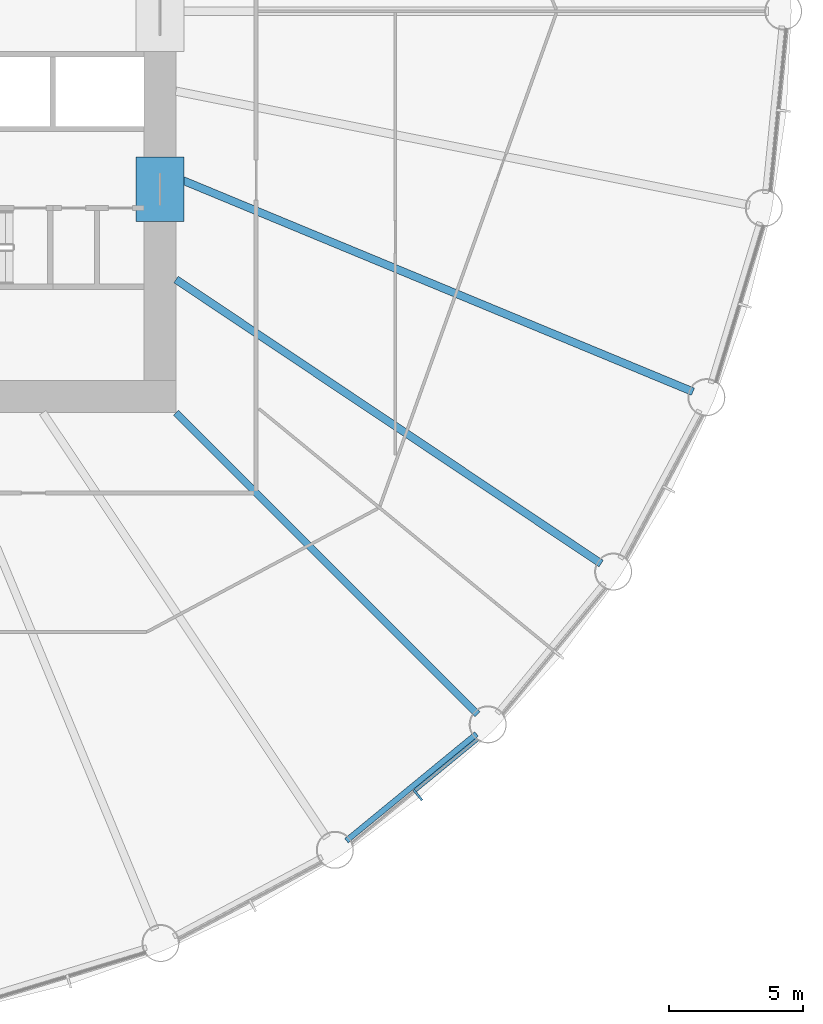
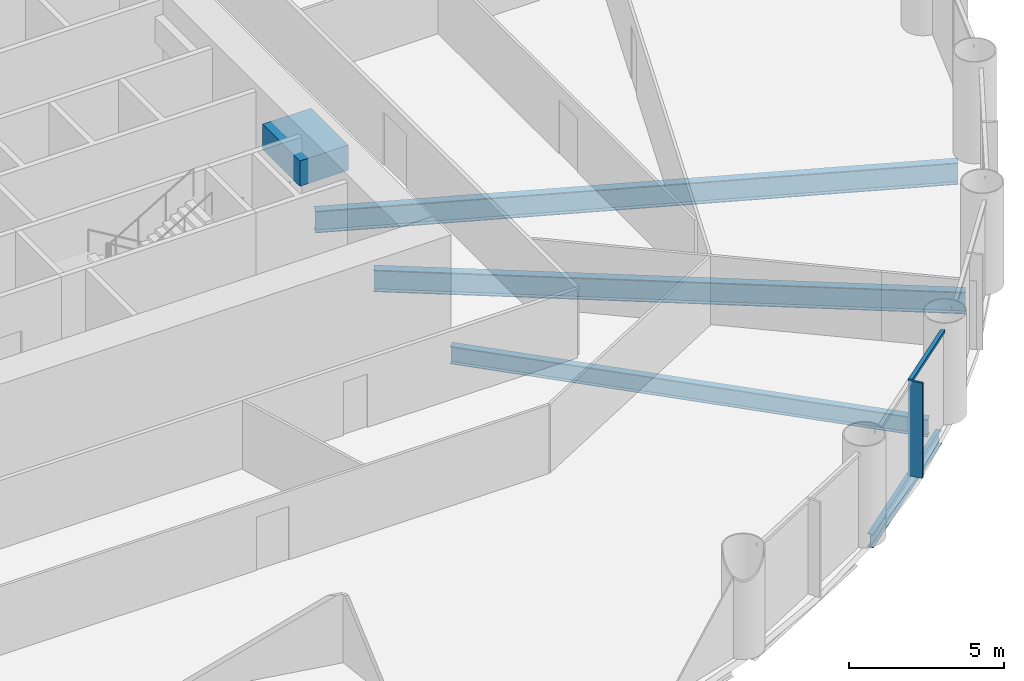
# One storey, part 3 of 15: 5 beams, 2 members, 1 element without a shape of its own.
"""IFC4 building model written with IfcOpenShell, lengths in metres."""

from ifc_helpers import new_model, si_unit, direction, frame, origin, origin_2d, place, context, subcontext, project, spatial, rectangle, i_section, extrude, material, material_profile, profile_set, type_object, element, aggregate, save


model = new_model("IFC4")

# Units and contexts
model_context = context("Model", 3, precision=1e-05, world=origin(), true_north=direction((0.0, 1.0)))
body_context = subcontext(model_context, "Body", "Model", "MODEL_VIEW")
ifc_project = project(units=[si_unit("LENGTHUNIT", "METRE"), si_unit("AREAUNIT", "SQUARE_METRE"), si_unit("VOLUMEUNIT", "CUBIC_METRE"), si_unit("PLANEANGLEUNIT", "RADIAN"), si_unit("MASSUNIT", "GRAM", prefix="KILO")], contexts=[model_context])

# Site, building, storey
site_placement = place(None, origin())
site = spatial("IfcSite", under=ifc_project, at=site_placement, CompositionType="ELEMENT")
building_placement = place(site_placement, origin())
building = spatial("IfcBuilding", under=site, at=building_placement, Name="Corvane Civic Tower", CompositionType="ELEMENT")
storey_placement = place(building_placement, frame((0.0, 0.0, 57.0)))
storey = spatial("IfcBuildingStorey", under=building, at=storey_placement, Name="L12", CompositionType="ELEMENT", Elevation=57.0)

# Beams
ifc_material_1 = material(Name="Concrete C80/95", Category="concrete")
ifc_material_profile_1 = material_profile(ifc_material_1, rectangle(XDim=1.800048828125, YDim=1.0, at=origin_2d()), Name="COUPLING BEAM 1800X1000")
ifc_profile_set_1 = profile_set([ifc_material_profile_1], Name="Concrete C80/95")
beam_type_1 = type_object("IfcBeamType", Name="COUPLING BEAM COUPLING BEAM 1800X1000", PredefinedType="BEAM", material=ifc_profile_set_1)
beam_1_placement = place(storey_placement, frame((14.39990234375, -7.85009765625, 2.60009765625), z_axis=(0.0, 1.0, 0.0), x_axis=(-1.0, 0.0, 0.0)))
element("IfcBeam", 1, at=beam_1_placement, inside=storey, type_object=beam_type_1, Name="BM-L12-cpl-CW-ES", PredefinedType="BEAM", context=body_context, shape_type="SweptSolid", body=[
    extrude(rectangle(XDim=1.800048828125, YDim=1.0, at=origin_2d()), origin(), (0.0, 0.0, 1.0), 2.400146484375),
])
ifc_material_2 = material(Name="Steel ASTM A992 Gr 50", Category="steel")
ifc_material_profile_2 = material_profile(ifc_material_2, i_section(OverallWidth=0.209228515625, OverallDepth=0.533447265625, WebThickness=0.01025390625, FlangeThickness=0.015625, at=origin_2d()), Name="W21X62")
ifc_profile_set_2 = profile_set([ifc_material_profile_2], Name="Steel ASTM A992 Gr 50")
beam_type_2 = type_object("IfcBeamType", Name="EDGE BEAM W21X62", PredefinedType="BEAM", material=ifc_profile_set_2)
beam_2_placement = place(storey_placement, frame((26.23291015625, -27.0068359375, -0.566650390625), z_axis=(-0.773015785286, -0.634386787141, 0.0), x_axis=(0.634386787141, -0.773015785286, 0.0)))
element("IfcBeam", 2, at=beam_2_placement, inside=storey, type_object=beam_type_2, Name="BM-L12-E13", PredefinedType="BEAM", context=body_context, shape_type="SweptSolid", body=[
    extrude(i_section(OverallWidth=0.209228515625, OverallDepth=0.533447265625, WebThickness=0.01025390625, FlangeThickness=0.015625, at=origin_2d()), origin(), (0.0, 0.0, 1.0), 6.290771484375),
])
ifc_material_3 = material(Name="Steel ASTM A992 Gr 50", Category="steel")
ifc_material_profile_3 = material_profile(ifc_material_3, i_section(OverallWidth=0.256591796875, OverallDepth=0.693359375, WebThickness=0.014404296875, FlangeThickness=0.023681640625, at=origin_2d()), Name="W27X114")
ifc_profile_set_3 = profile_set([ifc_material_profile_3], Name="Steel ASTM A992 Gr 50")
beam_type_3 = type_object("IfcBeamType", Name="FLOOR GIRDER W27X114", PredefinedType="BEAM", material=ifc_profile_set_3)
beam_3_placement = place(storey_placement, frame((15.0, -15.0, -0.646728515625), z_axis=(0.707106781187, -0.707106781187, 0.0), x_axis=(0.707106781187, 0.707106781187, 0.0)))
element("IfcBeam", 3, at=beam_3_placement, inside=storey, type_object=beam_type_3, Name="BM-L12-G13", PredefinedType="BEAM", context=body_context, shape_type="SweptSolid", body=[
    extrude(i_section(OverallWidth=0.256591796875, OverallDepth=0.693359375, WebThickness=0.014404296875, FlangeThickness=0.023681640625, at=origin_2d()), origin(), (0.0, 0.0, 1.0), 15.936767578125),
])
ifc_material_4 = material(Name="Steel ASTM A992 Gr 50", Category="steel")
ifc_material_profile_4 = material_profile(ifc_material_4, i_section(OverallWidth=0.2919921875, OverallDepth=0.8583984375, WebThickness=0.01708984375, FlangeThickness=0.031005859375, at=origin_2d()), Name="W33X169")
ifc_profile_set_4 = profile_set([ifc_material_profile_4], Name="Steel ASTM A992 Gr 50")
beam_type_4 = type_object("IfcBeamType", Name="FLOOR GIRDER W33X169", PredefinedType="BEAM", material=ifc_profile_set_4)
beam_4_placement = place(storey_placement, frame((15.0, -6.213134765625, -0.729248046875), z_axis=(0.923875834355, -0.382692360381, 0.0), x_axis=(0.382692360381, 0.923875834355, 0.0)))
element("IfcBeam", 4, at=beam_4_placement, inside=storey, type_object=beam_type_4, Name="BM-L12-G11", PredefinedType="BEAM", context=body_context, shape_type="SweptSolid", body=[
    extrude(i_section(OverallWidth=0.2919921875, OverallDepth=0.8583984375, WebThickness=0.01708984375, FlangeThickness=0.031005859375, at=origin_2d()), origin(), (0.0, 0.0, 1.0), 20.9140625),
])
beam_5_placement = place(storey_placement, frame((15.0, -10.022705078125, -0.729248046875), z_axis=(0.831471985418, -0.555566681385, 0.0), x_axis=(0.555566681385, 0.831471985418, 0.0)))
element("IfcBeam", 5, at=beam_5_placement, inside=storey, type_object=beam_type_4, Name="BM-L12-G12", PredefinedType="BEAM", context=body_context, shape_type="SweptSolid", body=[
    extrude(i_section(OverallWidth=0.2919921875, OverallDepth=0.8583984375, WebThickness=0.01708984375, FlangeThickness=0.031005859375, at=origin_2d()), origin(), (0.0, 0.0, 1.0), 19.109619140625),
])

# Curtain wall, members
ifc_material_5 = material(Name="Anodised aluminium bronze", Category="aluminium")
curtain_wall_type = type_object("IfcCurtainWallType", Name="TOWER CW-T1 STICK CURTAIN WALL", PredefinedType="NOTDEFINED", material=ifc_material_5)
curtain_wall_placement = place(storey_placement, origin())
curtain_wall = element("IfcCurtainWall", 6, at=curtain_wall_placement, inside=storey, type_object=curtain_wall_type, Name="Curtain wall CW-T1 L12 bay 13", PredefinedType="NOTDEFINED")
ifc_material_6 = material(Name="Anodised aluminium bronze", Category="aluminium")
ifc_material_profile_5 = material_profile(ifc_material_6, rectangle(XDim=0.139892578125, YDim=0.1201171875, at=origin_2d()), Name="TOWER CW-T1 TRANSOM 140x120")
ifc_profile_set_5 = profile_set([ifc_material_profile_5], Name="Anodised aluminium bronze")
member_type_1 = type_object("IfcMemberType", Name="TOWER CW-T1 TRANSOM 140x120", PredefinedType="USERDEFINED", material=ifc_profile_set_5)
member_1_placement = place(storey_placement, frame((26.271728515625, -27.20654296875, 3.68994140625), z_axis=(-0.773001943873, -0.634403652865, 0.0), x_axis=(0.634403652865, -0.773001943873, 0.0)))
member_1 = element("IfcMember", 7, at=member_1_placement, type_object=member_type_1, Name="Transom CW-T1 L12 13.1", ObjectType="TRANSOM", PredefinedType="USERDEFINED", context=body_context, shape_type="SweptSolid", body=[
    extrude(rectangle(XDim=0.139892578125, YDim=0.1201171875, at=origin_2d()), origin(), (0.0, 0.0, 1.0), 3.008544921875),
])
ifc_material_7 = material(Name="Anodised aluminium bronze", Category="aluminium")
ifc_material_profile_6 = material_profile(ifc_material_7, rectangle(XDim=0.080078125, YDim=0.5, at=origin_2d()), Name="TOWER FIN MULLION 80x500 BRONZE")
ifc_profile_set_6 = profile_set([ifc_material_profile_6], Name="Anodised aluminium bronze")
member_type_2 = type_object("IfcMemberType", Name="TOWER FIN MULLION 80x500 BRONZE", PredefinedType="MULLION", material=ifc_profile_set_6)
member_2_placement = place(storey_placement, frame((24.0419921875, -29.295166015625, 0.0), z_axis=(0.0, 0.0, 1.0), x_axis=(-0.773007224463, -0.634397218569, 0.0)))
member_2 = element("IfcMember", 8, at=member_2_placement, type_object=member_type_2, Name="Fin mullion 13 L12", PredefinedType="MULLION", context=body_context, shape_type="SweptSolid", body=[
    extrude(rectangle(XDim=0.080078125, YDim=0.5, at=origin_2d()), origin(), (0.0, 0.0, 1.0), 3.75),
])
aggregate(curtain_wall, [member_2, member_1])

save(model, "model.ifc")
